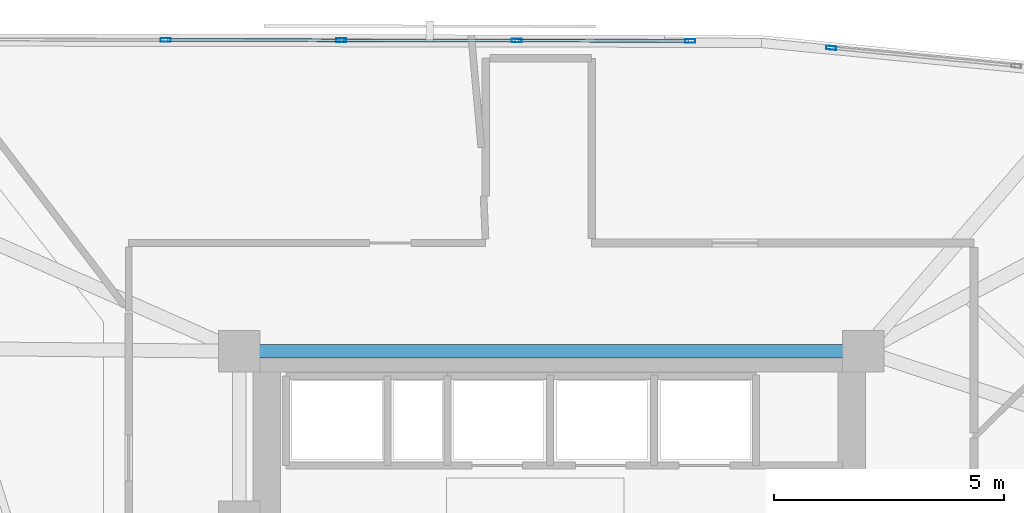
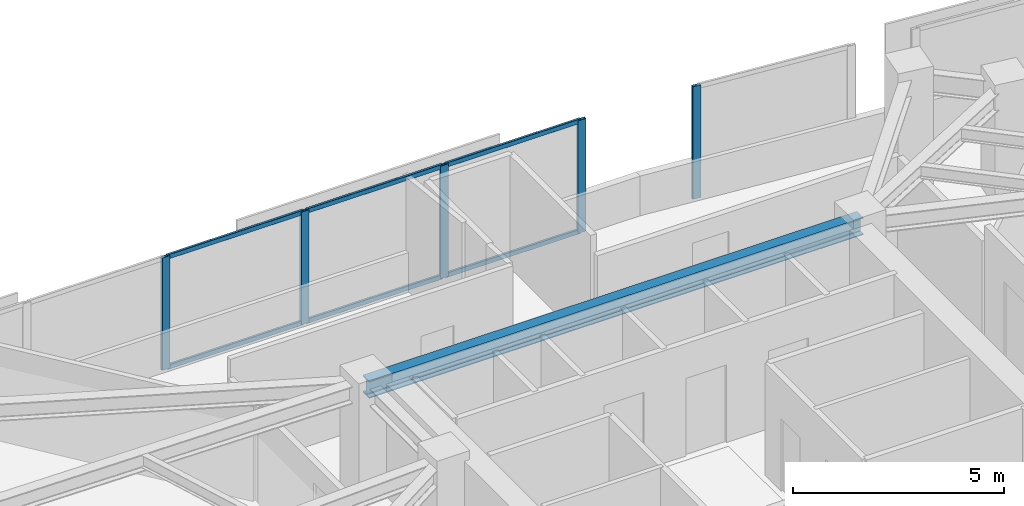
# One storey, part 3 of 13: 11 members, 1 beam, 2 elements without a shape of their own.
"""IFC4 building model written with IfcOpenShell, lengths in metres."""

from ifc_helpers import new_model, si_unit, direction, frame, origin, origin_2d, place, context, subcontext, project, spatial, hollow_rectangle, i_section, extrude, material, material_profile, profile_set, type_object, element, aggregate, save


model = new_model("IFC4")

# Units and contexts
model_context = context("Model", 3, precision=1e-05, world=origin(), true_north=direction((0.0, 1.0)))
body_context = subcontext(model_context, "Body", "Model", "MODEL_VIEW")
ifc_project = project(units=[si_unit("LENGTHUNIT", "METRE"), si_unit("AREAUNIT", "SQUARE_METRE"), si_unit("VOLUMEUNIT", "CUBIC_METRE"), si_unit("PLANEANGLEUNIT", "RADIAN"), si_unit("MASSUNIT", "GRAM", prefix="KILO")], contexts=[model_context])

# Site, building, storey
site_placement = place(None, origin())
site = spatial("IfcSite", under=ifc_project, at=site_placement, CompositionType="ELEMENT")
building_placement = place(site_placement, origin())
building = spatial("IfcBuilding", under=site, at=building_placement, Name="Narakoshi Arena Tower", CompositionType="ELEMENT")
storey_placement = place(building_placement, frame((0.0, 0.0, 232.580078125)))
storey = spatial("IfcBuildingStorey", under=building, at=storey_placement, Name="L63", CompositionType="ELEMENT", Elevation=232.580078125)

# Beam
ifc_material_1 = material(Name="Structural steel S355J2", Category="steel")
ifc_material_profile_1 = material_profile(ifc_material_1, i_section(OverallWidth=0.300048828125, OverallDepth=0.5, WebThickness=0.014404296875, FlangeThickness=0.028076171875, FilletRadius=0.027099609375, at=origin_2d()), Name="HE500B")
ifc_profile_set_1 = profile_set([ifc_material_profile_1], Name="Structural steel S355J2")
beam_type = type_object("IfcBeamType", Name="BM-PRI-500", PredefinedType="BEAM", material=ifc_profile_set_1)
beam_placement = place(storey_placement, frame((72.0, 56.5, 3.010009765625), z_axis=(1.0, 0.0, 0.0), x_axis=(0.0, 1.0, 0.0)))
element("IfcBeam", 1, at=beam_placement, inside=storey, type_object=beam_type, Name="L63 Core Perimeter Frame Beam CC5-CC6", PredefinedType="BEAM", context=body_context, shape_type="SweptSolid", body=[
    extrude(i_section(OverallWidth=0.300048828125, OverallDepth=0.5, WebThickness=0.014404296875, FlangeThickness=0.028076171875, FilletRadius=0.027099609375, at=origin_2d()), origin(), (0.0, 0.0, 1.0), 13.550048828125),
])

# Curtain wall, member
ifc_material_2 = material(Name="Anodised bronze aluminium 6063-T6", Category="aluminium")
curtain_wall_type = type_object("IfcCurtainWallType", Name="CW-HYP-HIGH", PredefinedType="NOTDEFINED", material=ifc_material_2)
curtain_wall_1_placement = place(storey_placement, origin())
curtain_wall_1 = element("IfcCurtainWall", 2, at=curtain_wall_1_placement, inside=storey, type_object=curtain_wall_type, Name="L63 Folded Hypotenuse Curtain Wall 1-2", PredefinedType="NOTDEFINED")
ifc_material_profile_2 = material_profile(ifc_material_2, hollow_rectangle(XDim=0.080078125, YDim=0.219970703125, WallThickness=0.0048828125, OuterFilletRadius=0.006103515625, at=origin_2d()), Name="MUL220x80x5")
ifc_profile_set_2 = profile_set([ifc_material_profile_2], Name="Anodised bronze aluminium 6063-T6")
member_type_1 = type_object("IfcMemberType", Name="MEM-MUL-220", PredefinedType="MULLION", material=ifc_profile_set_2)
member_1_placement = place(storey_placement, frame((84.853515625, 63.084716796875, 0.0), z_axis=(0.0, 0.0, 1.0), x_axis=(-0.096842858471, -0.995299683896, 0.0)))
member_1 = element("IfcMember", 3, at=member_1_placement, type_object=member_type_1, Name="CW-03 mullion 2", PredefinedType="MULLION", context=body_context, shape_type="SweptSolid", body=[
    extrude(hollow_rectangle(XDim=0.080078125, YDim=0.219970703125, WallThickness=0.0048828125, OuterFilletRadius=0.006103515625, at=origin_2d()), origin(), (0.0, 0.0, 1.0), 3.260009765625),
])
aggregate(curtain_wall_1, [member_1])

# Curtain wall, members
curtain_wall_2_placement = place(storey_placement, origin())
curtain_wall_2 = element("IfcCurtainWall", 4, at=curtain_wall_2_placement, inside=storey, type_object=curtain_wall_type, Name="L63 Folded Hypotenuse Curtain Wall 2-1", PredefinedType="NOTDEFINED")
member_2_placement = place(storey_placement, frame((81.792236328125, 63.236083984375, 0.0), z_axis=(0.0, 0.0, 1.0), x_axis=(-0.001819896899, -0.999998343986, 0.0)))
member_2 = element("IfcMember", 5, at=member_2_placement, type_object=member_type_1, Name="CW-03 mullion 1", PredefinedType="MULLION", context=body_context, shape_type="SweptSolid", body=[
    extrude(hollow_rectangle(XDim=0.080078125, YDim=0.219970703125, WallThickness=0.0048828125, OuterFilletRadius=0.006103515625, at=origin_2d()), origin(), (0.0, 0.0, 1.0), 3.260009765625),
])
member_3_placement = place(storey_placement, frame((78.0224609375, 63.242919921875, 0.0), z_axis=(0.0, 0.0, 1.0), x_axis=(-0.001819896899, -0.999998343986, 0.0)))
member_3 = element("IfcMember", 6, at=member_3_placement, type_object=member_type_1, Name="CW-03 mullion 2", PredefinedType="MULLION", context=body_context, shape_type="SweptSolid", body=[
    extrude(hollow_rectangle(XDim=0.080078125, YDim=0.219970703125, WallThickness=0.0048828125, OuterFilletRadius=0.006103515625, at=origin_2d()), origin(), (0.0, 0.0, 1.0), 3.260009765625),
])
member_4_placement = place(storey_placement, frame((74.212890625, 63.249755859375, 0.0), z_axis=(0.0, 0.0, 1.0), x_axis=(-0.001819896899, -0.999998343986, 0.0)))
member_4 = element("IfcMember", 7, at=member_4_placement, type_object=member_type_1, Name="CW-03 mullion 3", PredefinedType="MULLION", context=body_context, shape_type="SweptSolid", body=[
    extrude(hollow_rectangle(XDim=0.080078125, YDim=0.219970703125, WallThickness=0.0048828125, OuterFilletRadius=0.006103515625, at=origin_2d()), origin(), (0.0, 0.0, 1.0), 3.260009765625),
])
member_5_placement = place(storey_placement, frame((70.403076171875, 63.2568359375, 0.0), z_axis=(0.0, 0.0, 1.0), x_axis=(-0.001819896899, -0.999998343986, 0.0)))
member_5 = element("IfcMember", 8, at=member_5_placement, type_object=member_type_1, Name="CW-03 mullion 4", PredefinedType="MULLION", context=body_context, shape_type="SweptSolid", body=[
    extrude(hollow_rectangle(XDim=0.080078125, YDim=0.219970703125, WallThickness=0.0048828125, OuterFilletRadius=0.006103515625, at=origin_2d()), origin(), (0.0, 0.0, 1.0), 3.260009765625),
])
ifc_material_profile_3 = material_profile(ifc_material_2, hollow_rectangle(XDim=0.06494140625, YDim=0.1298828125, WallThickness=0.00390625, OuterFilletRadius=0.0048828125, at=origin_2d()), Name="TRN130x65x4")
ifc_profile_set_3 = profile_set([ifc_material_profile_3], Name="Anodised bronze aluminium 6063-T6")
member_type_2 = type_object("IfcMemberType", Name="MEM-TRN-130", PredefinedType="USERDEFINED", material=ifc_profile_set_3)
member_6_placement = place(storey_placement, frame((81.752197265625, 63.236083984375, 0.032470703125), z_axis=(-0.999998283738, 0.001852706408, 0.0), x_axis=(-0.001852706408, -0.999998283738, 0.0)))
member_6 = element("IfcMember", 9, at=member_6_placement, type_object=member_type_2, Name="CW-03 transom 1.1", ObjectType="TRANSOM", PredefinedType="USERDEFINED", context=body_context, shape_type="SweptSolid", body=[
    extrude(hollow_rectangle(XDim=0.06494140625, YDim=0.1298828125, WallThickness=0.00390625, OuterFilletRadius=0.0048828125, at=origin_2d()), origin(), (0.0, 0.0, 1.0), 3.689697265625),
])
member_7_placement = place(storey_placement, frame((81.752197265625, 63.236083984375, 3.2275390625), z_axis=(-0.999998283738, 0.001852706408, 0.0), x_axis=(-0.001852706408, -0.999998283738, 0.0)))
member_7 = element("IfcMember", 10, at=member_7_placement, type_object=member_type_2, Name="CW-03 transom 1.2", ObjectType="TRANSOM", PredefinedType="USERDEFINED", context=body_context, shape_type="SweptSolid", body=[
    extrude(hollow_rectangle(XDim=0.06494140625, YDim=0.1298828125, WallThickness=0.00390625, OuterFilletRadius=0.0048828125, at=origin_2d()), origin(), (0.0, 0.0, 1.0), 3.689697265625),
])
member_8_placement = place(storey_placement, frame((77.982666015625, 63.242919921875, 0.032470703125), z_axis=(-0.999998320389, 0.001832817502, 0.0), x_axis=(-0.001832817502, -0.999998320389, 0.0)))
member_8 = element("IfcMember", 11, at=member_8_placement, type_object=member_type_2, Name="CW-03 transom 2.1", ObjectType="TRANSOM", PredefinedType="USERDEFINED", context=body_context, shape_type="SweptSolid", body=[
    extrude(hollow_rectangle(XDim=0.06494140625, YDim=0.1298828125, WallThickness=0.00390625, OuterFilletRadius=0.0048828125, at=origin_2d()), origin(), (0.0, 0.0, 1.0), 3.729736328125),
])
member_9_placement = place(storey_placement, frame((77.982666015625, 63.242919921875, 3.2275390625), z_axis=(-0.999998320389, 0.001832817502, 0.0), x_axis=(-0.001832817502, -0.999998320389, 0.0)))
member_9 = element("IfcMember", 12, at=member_9_placement, type_object=member_type_2, Name="CW-03 transom 2.2", ObjectType="TRANSOM", PredefinedType="USERDEFINED", context=body_context, shape_type="SweptSolid", body=[
    extrude(hollow_rectangle(XDim=0.06494140625, YDim=0.1298828125, WallThickness=0.00390625, OuterFilletRadius=0.0048828125, at=origin_2d()), origin(), (0.0, 0.0, 1.0), 3.729736328125),
])
member_10_placement = place(storey_placement, frame((74.1728515625, 63.25, 0.032470703125), z_axis=(-0.999998320389, 0.001832817502, 0.0), x_axis=(-0.001832817502, -0.999998320389, 0.0)))
member_10 = element("IfcMember", 13, at=member_10_placement, type_object=member_type_2, Name="CW-03 transom 3.1", ObjectType="TRANSOM", PredefinedType="USERDEFINED", context=body_context, shape_type="SweptSolid", body=[
    extrude(hollow_rectangle(XDim=0.06494140625, YDim=0.1298828125, WallThickness=0.00390625, OuterFilletRadius=0.0048828125, at=origin_2d()), origin(), (0.0, 0.0, 1.0), 3.729736328125),
])
member_11_placement = place(storey_placement, frame((74.1728515625, 63.25, 3.2275390625), z_axis=(-0.999998320389, 0.001832817502, 0.0), x_axis=(-0.001832817502, -0.999998320389, 0.0)))
member_11 = element("IfcMember", 14, at=member_11_placement, type_object=member_type_2, Name="CW-03 transom 3.2", ObjectType="TRANSOM", PredefinedType="USERDEFINED", context=body_context, shape_type="SweptSolid", body=[
    extrude(hollow_rectangle(XDim=0.06494140625, YDim=0.1298828125, WallThickness=0.00390625, OuterFilletRadius=0.0048828125, at=origin_2d()), origin(), (0.0, 0.0, 1.0), 3.729736328125),
])
aggregate(curtain_wall_2, [member_2, member_3, member_4, member_5, member_6, member_7, member_8, member_9, member_10, member_11])

save(model, "model.ifc")
